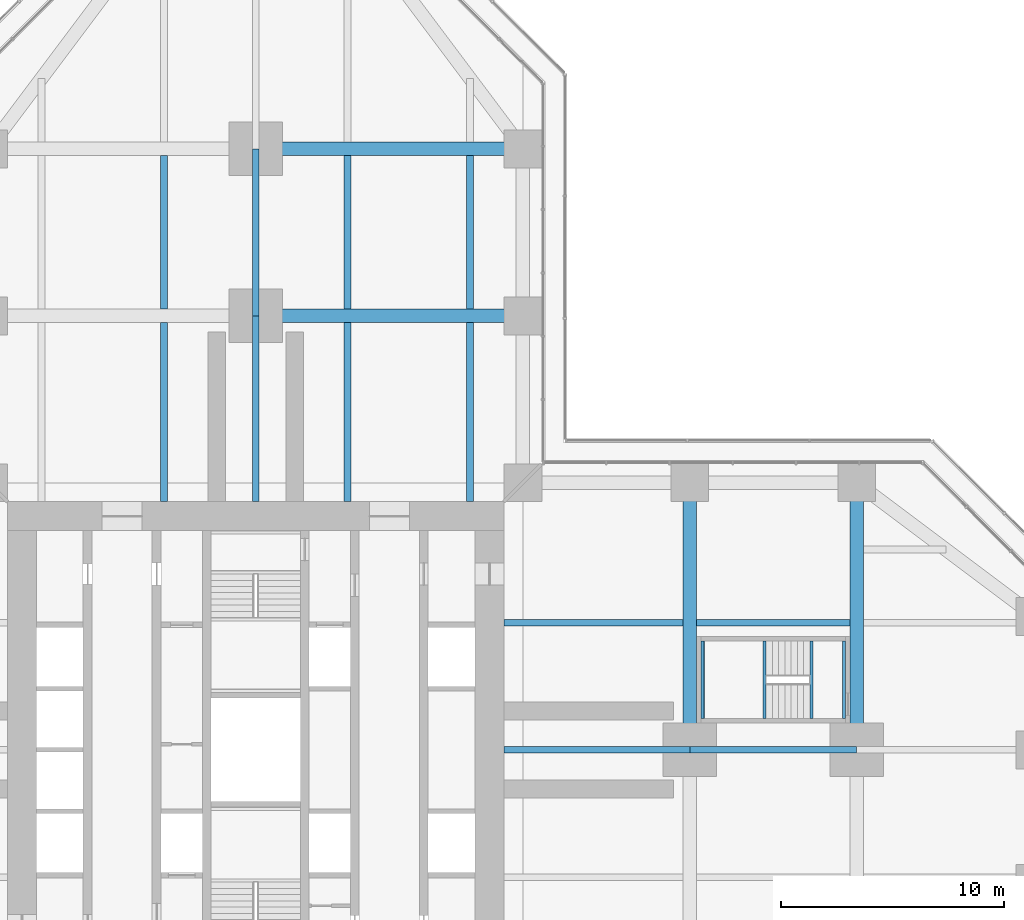
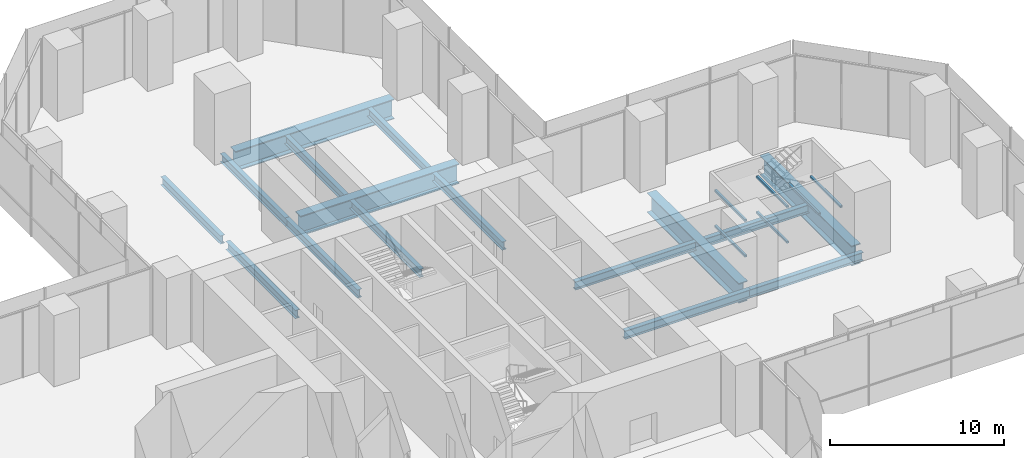
# One storey, part 9 of 23: 22 beams.
"""IFC4 building model written with IfcOpenShell, lengths in metres."""

from ifc_helpers import new_model, si_unit, direction, frame, origin, origin_2d, place, context, subcontext, project, spatial, hollow_rectangle, i_section, extrude, material, material_profile, profile_set, type_object, element, save


model = new_model("IFC4")

# Units and contexts
model_context = context("Model", 3, precision=1e-05, world=origin(), true_north=direction((0.0, 1.0)))
body_context = subcontext(model_context, "Body", "Model", "MODEL_VIEW")
ifc_project = project(units=[si_unit("LENGTHUNIT", "METRE"), si_unit("AREAUNIT", "SQUARE_METRE"), si_unit("VOLUMEUNIT", "CUBIC_METRE"), si_unit("PLANEANGLEUNIT", "RADIAN"), si_unit("MASSUNIT", "GRAM", prefix="KILO")], contexts=[model_context])

# Site, building, storey
site_placement = place(None, origin())
site = spatial("IfcSite", under=ifc_project, at=site_placement, CompositionType="ELEMENT")
building_placement = place(site_placement, origin())
building = spatial("IfcBuilding", under=site, at=building_placement, Name="Mizan Broadcast Tower", CompositionType="ELEMENT")
storey_placement = place(building_placement, frame((0.0, 0.0, 23.0)))
storey = spatial("IfcBuildingStorey", under=building, at=storey_placement, Name="L03", CompositionType="ELEMENT", Elevation=23.0)

# Beams
ifc_material_1 = material(Name="Steel S460", Category="steel")
ifc_material_profile_1 = material_profile(ifc_material_1, i_section(OverallWidth=0.60009765625, OverallDepth=1.39990234375, WebThickness=0.02490234375, FlangeThickness=0.06005859375, at=origin_2d()), Name="WPG 1400x600")
ifc_profile_set_1 = profile_set([ifc_material_profile_1], Name="Steel S460")
beam_type_1 = type_object("IfcBeamType", Name="GIRDER WPG 1400x600", PredefinedType="BEAM", material=ifc_profile_set_1)
for number, where, z_axis, x_axis, name in (
    (1, (19.5, 0.719970703125, -0.949951171875), (0.0, 1.0, 0.0), (-1.0, 0.0, 0.0), "Girder WPG 1400x600 L03 east arm"),
    (2, (27.0, 0.719970703125, -0.949951171875), (0.0, 1.0, 0.0), (-1.0, 0.0, 0.0), "Girder WPG 1400x600 L03 east arm"),
    (3, (11.280029296875, 19.5, -0.949951171875), (-1.0, 0.0, 0.0), (0.0, -1.0, 0.0), "Girder WPG 1400x600 L03 north arm"),
    (4, (11.280029296875, 27.0, -0.949951171875), (-1.0, 0.0, 0.0), (0.0, -1.0, 0.0), "Girder WPG 1400x600 L03 north arm"),
):
    element("IfcBeam", number, at=place(storey_placement, frame(where, z_axis=z_axis, x_axis=x_axis)), inside=storey, type_object=beam_type_1, Name=name, PredefinedType="BEAM", context=body_context, shape_type="SweptSolid", body=[
        extrude(i_section(OverallWidth=0.60009765625, OverallDepth=1.39990234375, WebThickness=0.02490234375, FlangeThickness=0.06005859375, at=origin_2d()), origin(), (0.0, 0.0, 1.0), 10.56005859375),
    ])
ifc_material_2 = material(Name="Steel S355", Category="steel")
ifc_material_profile_2 = material_profile(ifc_material_2, hollow_rectangle(XDim=0.14990234375, YDim=0.14990234375, WallThickness=0.008056640625, InnerFilletRadius=0.008056640625, OuterFilletRadius=0.011962890625, at=origin_2d()), Name="SHS 150x150x8")
ifc_profile_set_2 = profile_set([ifc_material_profile_2], Name="Steel S355")
beam_type_2 = type_object("IfcBeamType", Name="LANDING TRIMMER SHS 150x150x8", PredefinedType="BEAM", material=ifc_profile_set_2)
for number, where, z_axis, x_axis, name in (
    (5, (22.85498046875, 1.39990234375, 0.97509765625), (0.0, 1.0, 0.0), (-1.0, 0.0, 0.0), "Stair C landing trimmer L03"),
    (6, (20.074951171875, 1.39990234375, 0.97509765625), (0.0, 1.0, 0.0), (-1.0, 0.0, 0.0), "Stair C landing trimmer L03"),
    (7, (26.425048828125, 1.39990234375, 2.22509765625), (0.0, 1.0, 0.0), (-1.0, 0.0, 0.0), "Stair C landing trimmer L03"),
    (8, (24.965087890625, 1.39990234375, 2.22509765625), (0.0, 1.0, 0.0), (-1.0, 0.0, 0.0), "Stair C landing trimmer L03"),
    (9, (22.85498046875, 1.39990234375, 3.47509765625), (0.0, 1.0, 0.0), (-1.0, 0.0, 0.0), "Stair C landing trimmer L03"),
    (10, (20.074951171875, 1.39990234375, 3.47509765625), (0.0, 1.0, 0.0), (-1.0, 0.0, 0.0), "Stair C landing trimmer L03"),
):
    element("IfcBeam", number, at=place(storey_placement, frame(where, z_axis=z_axis, x_axis=x_axis)), inside=storey, type_object=beam_type_2, Name=name, PredefinedType="BEAM", context=body_context, shape_type="SweptSolid", body=[
        extrude(hollow_rectangle(XDim=0.14990234375, YDim=0.14990234375, WallThickness=0.008056640625, InnerFilletRadius=0.008056640625, OuterFilletRadius=0.011962890625, at=origin_2d()), origin(), (0.0, 0.0, 1.0), 3.5),
    ])
ifc_material_3 = material(Name="Steel S355", Category="steel")
ifc_material_profile_3 = material_profile(ifc_material_3, i_section(OverallWidth=0.300048828125, OverallDepth=0.590087890625, WebThickness=0.012939453125, FlangeThickness=0.02490234375, FilletRadius=0.027099609375, at=origin_2d()), Name="HEA 600")
ifc_profile_set_3 = profile_set([ifc_material_profile_3], Name="Steel S355")
beam_type_3 = type_object("IfcBeamType", Name="SECONDARY BEAM HEA 600", PredefinedType="JOIST", material=ifc_profile_set_3)
beam_1_placement = place(storey_placement, frame((11.14990234375, 0.0, -0.544921875), z_axis=(1.0, 0.0, 0.0), x_axis=(0.0, 1.0, 0.0)))
element("IfcBeam", 11, at=beam_1_placement, inside=storey, type_object=beam_type_3, Name="Secondary beam HEA 600 L03 east arm", PredefinedType="JOIST", context=body_context, shape_type="SweptSolid", body=[
    extrude(i_section(OverallWidth=0.300048828125, OverallDepth=0.590087890625, WebThickness=0.012939453125, FlangeThickness=0.02490234375, FilletRadius=0.027099609375, at=origin_2d()), origin(), (0.0, 0.0, 1.0), 8.35009765625),
])
beam_2_placement = place(storey_placement, frame((19.5, 0.0, -0.544921875), z_axis=(1.0, 0.0, 0.0), x_axis=(0.0, 1.0, 0.0)))
element("IfcBeam", 12, at=beam_2_placement, inside=storey, type_object=beam_type_3, Name="Secondary beam HEA 600 L03 east arm", PredefinedType="JOIST", context=body_context, shape_type="SweptSolid", body=[
    extrude(i_section(OverallWidth=0.300048828125, OverallDepth=0.590087890625, WebThickness=0.012939453125, FlangeThickness=0.02490234375, FilletRadius=0.027099609375, at=origin_2d()), origin(), (0.0, 0.0, 1.0), 7.5),
])
beam_3_placement = place(storey_placement, frame((11.14990234375, 5.71435546875, -0.544921875), z_axis=(1.0, 0.0, 0.0), x_axis=(0.0, 1.0, 0.0)))
element("IfcBeam", 13, at=beam_3_placement, inside=storey, type_object=beam_type_3, Name="Secondary beam HEA 600 L03 east arm", PredefinedType="JOIST", context=body_context, shape_type="SweptSolid", body=[
    extrude(i_section(OverallWidth=0.300048828125, OverallDepth=0.590087890625, WebThickness=0.012939453125, FlangeThickness=0.02490234375, FilletRadius=0.027099609375, at=origin_2d()), origin(), (0.0, 0.0, 1.0), 8.050048828125),
])
beam_4_placement = place(storey_placement, frame((19.800048828125, 5.71435546875, -0.544921875), z_axis=(1.0, 0.0, 0.0), x_axis=(0.0, 1.0, 0.0)))
element("IfcBeam", 14, at=beam_4_placement, inside=storey, type_object=beam_type_3, Name="Secondary beam HEA 600 L03 east arm", PredefinedType="JOIST", context=body_context, shape_type="SweptSolid", body=[
    extrude(i_section(OverallWidth=0.300048828125, OverallDepth=0.590087890625, WebThickness=0.012939453125, FlangeThickness=0.02490234375, FilletRadius=0.027099609375, at=origin_2d()), origin(), (0.0, 0.0, 1.0), 6.89990234375),
])
beam_5_placement = place(storey_placement, frame((9.625, 11.14990234375, -0.544921875), z_axis=(0.0, 1.0, 0.0), x_axis=(-1.0, 0.0, 0.0)))
element("IfcBeam", 15, at=beam_5_placement, inside=storey, type_object=beam_type_3, Name="Secondary beam HEA 600 L03 north arm", PredefinedType="JOIST", context=body_context, shape_type="SweptSolid", body=[
    extrude(i_section(OverallWidth=0.300048828125, OverallDepth=0.590087890625, WebThickness=0.012939453125, FlangeThickness=0.02490234375, FilletRadius=0.027099609375, at=origin_2d()), origin(), (0.0, 0.0, 1.0), 8.050048828125),
])
beam_6_placement = place(storey_placement, frame((9.625, 19.800048828125, -0.544921875), z_axis=(0.0, 1.0, 0.0), x_axis=(-1.0, 0.0, 0.0)))
element("IfcBeam", 16, at=beam_6_placement, inside=storey, type_object=beam_type_3, Name="Secondary beam HEA 600 L03 north arm", PredefinedType="JOIST", context=body_context, shape_type="SweptSolid", body=[
    extrude(i_section(OverallWidth=0.300048828125, OverallDepth=0.590087890625, WebThickness=0.012939453125, FlangeThickness=0.02490234375, FilletRadius=0.027099609375, at=origin_2d()), origin(), (0.0, 0.0, 1.0), 6.89990234375),
])
beam_7_placement = place(storey_placement, frame((4.125, 11.14990234375, -0.544921875), z_axis=(0.0, 1.0, 0.0), x_axis=(-1.0, 0.0, 0.0)))
element("IfcBeam", 17, at=beam_7_placement, inside=storey, type_object=beam_type_3, Name="Secondary beam HEA 600 L03 north arm", PredefinedType="JOIST", context=body_context, shape_type="SweptSolid", body=[
    extrude(i_section(OverallWidth=0.300048828125, OverallDepth=0.590087890625, WebThickness=0.012939453125, FlangeThickness=0.02490234375, FilletRadius=0.027099609375, at=origin_2d()), origin(), (0.0, 0.0, 1.0), 8.050048828125),
])
beam_8_placement = place(storey_placement, frame((4.125, 19.800048828125, -0.544921875), z_axis=(0.0, 1.0, 0.0), x_axis=(-1.0, 0.0, 0.0)))
element("IfcBeam", 18, at=beam_8_placement, inside=storey, type_object=beam_type_3, Name="Secondary beam HEA 600 L03 north arm", PredefinedType="JOIST", context=body_context, shape_type="SweptSolid", body=[
    extrude(i_section(OverallWidth=0.300048828125, OverallDepth=0.590087890625, WebThickness=0.012939453125, FlangeThickness=0.02490234375, FilletRadius=0.027099609375, at=origin_2d()), origin(), (0.0, 0.0, 1.0), 6.89990234375),
])
beam_9_placement = place(storey_placement, frame((0.0, 11.14990234375, -0.544921875), z_axis=(0.0, 1.0, 0.0), x_axis=(-1.0, 0.0, 0.0)))
element("IfcBeam", 19, at=beam_9_placement, inside=storey, type_object=beam_type_3, Name="Secondary beam HEA 600 L03 north arm", PredefinedType="JOIST", context=body_context, shape_type="SweptSolid", body=[
    extrude(i_section(OverallWidth=0.300048828125, OverallDepth=0.590087890625, WebThickness=0.012939453125, FlangeThickness=0.02490234375, FilletRadius=0.027099609375, at=origin_2d()), origin(), (0.0, 0.0, 1.0), 8.35009765625),
])
beam_10_placement = place(storey_placement, frame((0.0, 19.5, -0.544921875), z_axis=(0.0, 1.0, 0.0), x_axis=(-1.0, 0.0, 0.0)))
element("IfcBeam", 20, at=beam_10_placement, inside=storey, type_object=beam_type_3, Name="Secondary beam HEA 600 L03 north arm", PredefinedType="JOIST", context=body_context, shape_type="SweptSolid", body=[
    extrude(i_section(OverallWidth=0.300048828125, OverallDepth=0.590087890625, WebThickness=0.012939453125, FlangeThickness=0.02490234375, FilletRadius=0.027099609375, at=origin_2d()), origin(), (0.0, 0.0, 1.0), 7.5),
])
beam_11_placement = place(storey_placement, frame((-4.125, 11.14990234375, -0.544921875), z_axis=(0.0, 1.0, 0.0), x_axis=(-1.0, 0.0, 0.0)))
element("IfcBeam", 21, at=beam_11_placement, inside=storey, type_object=beam_type_3, Name="Secondary beam HEA 600 L03 north arm", PredefinedType="JOIST", context=body_context, shape_type="SweptSolid", body=[
    extrude(i_section(OverallWidth=0.300048828125, OverallDepth=0.590087890625, WebThickness=0.012939453125, FlangeThickness=0.02490234375, FilletRadius=0.027099609375, at=origin_2d()), origin(), (0.0, 0.0, 1.0), 8.050048828125),
])
beam_12_placement = place(storey_placement, frame((-4.125, 19.800048828125, -0.544921875), z_axis=(0.0, 1.0, 0.0), x_axis=(-1.0, 0.0, 0.0)))
element("IfcBeam", 22, at=beam_12_placement, inside=storey, type_object=beam_type_3, Name="Secondary beam HEA 600 L03 north arm", PredefinedType="JOIST", context=body_context, shape_type="SweptSolid", body=[
    extrude(i_section(OverallWidth=0.300048828125, OverallDepth=0.590087890625, WebThickness=0.012939453125, FlangeThickness=0.02490234375, FilletRadius=0.027099609375, at=origin_2d()), origin(), (0.0, 0.0, 1.0), 6.89990234375),
])

save(model, "model.ifc")
